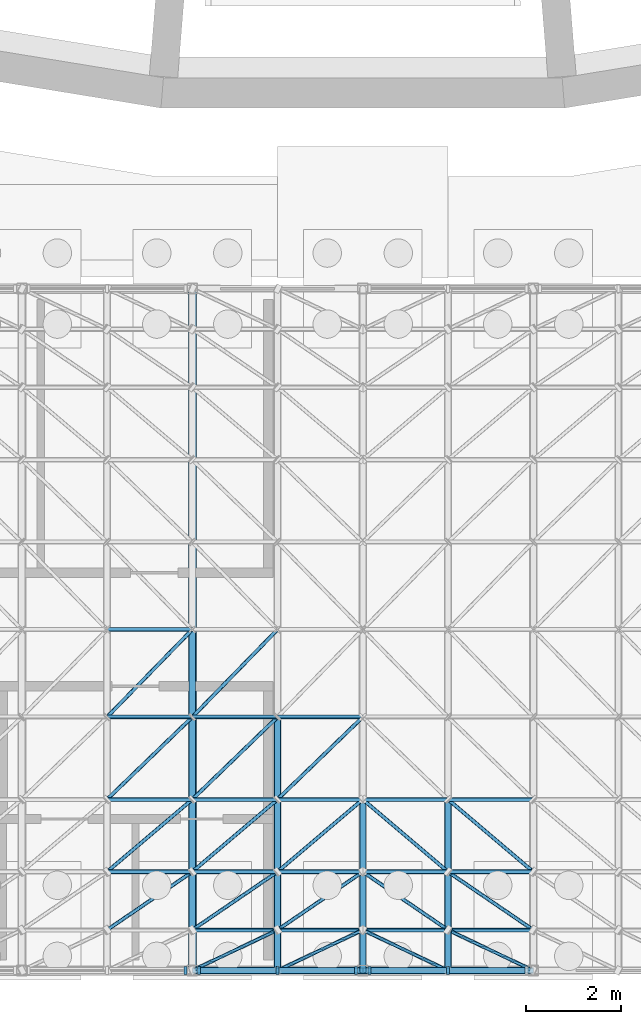
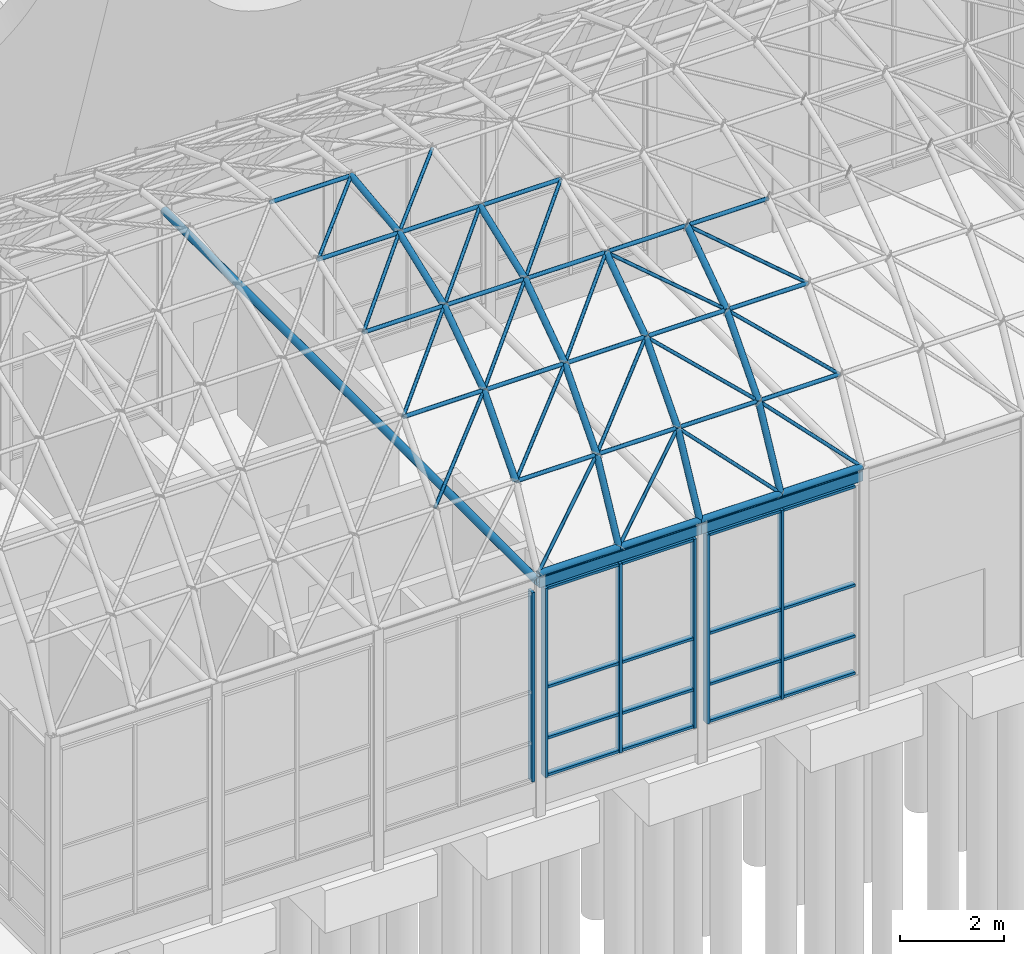
# One storey, part 32 of 116: 78 members, 2 beams, 3 elements without a shape of their own.
"""IFC4 building model written with IfcOpenShell, lengths in metres."""

from ifc_helpers import new_model, si_unit, direction, frame, origin, origin_2d, place, context, subcontext, project, spatial, rectangle, hollow_rectangle, hollow_circle, extrude, material, layer, layer_set, material_profile, profile_set, type_object, element, aggregate, save


model = new_model("IFC4")

# Units and contexts
model_context = context("Model", 3, precision=1e-05, world=origin(), true_north=direction((0.0, 1.0)))
body_context = subcontext(model_context, "Body", "Model", "MODEL_VIEW")
ifc_project = project(units=[si_unit("LENGTHUNIT", "METRE"), si_unit("AREAUNIT", "SQUARE_METRE"), si_unit("VOLUMEUNIT", "CUBIC_METRE"), si_unit("PLANEANGLEUNIT", "RADIAN"), si_unit("MASSUNIT", "GRAM", prefix="KILO")], contexts=[model_context])

# Site, building, storey
site_placement = place(None, origin())
site = spatial("IfcSite", under=ifc_project, at=site_placement, CompositionType="ELEMENT")
building_placement = place(site_placement, origin())
building = spatial("IfcBuilding", under=site, at=building_placement, Name="Ardhachandra Cancer Care Centre", CompositionType="ELEMENT")
storey_placement = place(building_placement, origin())
storey = spatial("IfcBuildingStorey", under=building, at=storey_placement, Name="L00", CompositionType="ELEMENT", Elevation=0.0)

# Beams
ifc_material_1 = material(Name="Steel E350 (IS 2062)", Category="steel")
ifc_material_profile_1 = material_profile(ifc_material_1, hollow_rectangle(XDim=0.1201171875, YDim=0.239990234375, WallThickness=0.006103515625, InnerFilletRadius=0.006103515625, OuterFilletRadius=0.011962890625, at=origin_2d()), Name="RHS 240x120x6.0")
ifc_profile_set_1 = profile_set([ifc_material_profile_1], Name="Steel E350 (IS 2062)")
beam_type = type_object("IfcBeamType", Name="Beam RHS 240x120x6.0", PredefinedType="BEAM", material=ifc_profile_set_1)
for number, where, z_axis, x_axis, name in (
    (1, (74.39990234375, 7.199951171875, 5.210205078125), (1.0, 0.0, 0.0), (0.0, 1.0, 0.0), "Pavilion edge beam S4-5"),
    (2, (78.0, 7.199951171875, 5.210205078125), (1.0, 0.0, 0.0), (0.0, 1.0, 0.0), "Pavilion edge beam S5-6"),
):
    element("IfcBeam", number, at=place(storey_placement, frame(where, z_axis=z_axis, x_axis=x_axis)), inside=storey, type_object=beam_type, Name=name, PredefinedType="BEAM", context=body_context, shape_type="SweptSolid", body=[
        extrude(hollow_rectangle(XDim=0.1201171875, YDim=0.239990234375, WallThickness=0.006103515625, InnerFilletRadius=0.006103515625, OuterFilletRadius=0.011962890625, at=origin_2d()), origin(), (0.0, 0.0, 1.0), 3.60009765625),
    ])

# Curtain wall, member
ifc_material_2 = material(Name="Aluminium extrusion", Category="aluminium")
ifc_layer = layer(ifc_material_2, 0.14990234375)
ifc_layer_set = layer_set([ifc_layer], Name="Aluminium extrusion")
curtain_wall_type = type_object("IfcCurtainWallType", Name="Curtain wall run", PredefinedType="NOTDEFINED", material=ifc_layer_set)
curtain_wall_1_placement = place(storey_placement, origin())
curtain_wall_1 = element("IfcCurtainWall", 3, at=curtain_wall_1_placement, inside=storey, type_object=curtain_wall_type, Name="Curtain wall L00 s/0070800_0007200", PredefinedType="NOTDEFINED")
ifc_material_3 = material(Name="Aluminium extrusion", Category="aluminium")
ifc_material_profile_2 = material_profile(ifc_material_3, rectangle(XDim=0.159912109375, YDim=0.06005859375, at=origin_2d()), Name="Curtain wall mullion 60 x 160")
ifc_profile_set_2 = profile_set([ifc_material_profile_2], Name="Aluminium extrusion")
member_type_1 = type_object("IfcMemberType", Name="Curtain wall mullion 60 x 160", PredefinedType="MULLION", material=ifc_profile_set_2)
member_1_placement = place(storey_placement, frame((74.2548828125, 7.199951171875, 0.60009765625), z_axis=(0.0, 0.0, 1.0), x_axis=(0.0, 1.0, 0.0)))
member_1 = element("IfcMember", 4, at=member_1_placement, type_object=member_type_1, Name="CW mullion 3", PredefinedType="MULLION", context=body_context, shape_type="SweptSolid", body=[
    extrude(rectangle(XDim=0.159912109375, YDim=0.06005859375, at=origin_2d()), origin(), (0.0, 0.0, 1.0), 4.449951171875),
])
aggregate(curtain_wall_1, [member_1])

# Curtain wall, members
curtain_wall_2_placement = place(storey_placement, origin())
curtain_wall_2 = element("IfcCurtainWall", 5, at=curtain_wall_2_placement, inside=storey, type_object=curtain_wall_type, Name="Curtain wall L00 s/0074400_0007200", PredefinedType="NOTDEFINED")
member_2_placement = place(storey_placement, frame((74.544921875, 7.199951171875, 0.60009765625), z_axis=(0.0, 0.0, 1.0), x_axis=(0.0, 1.0, 0.0)))
member_2 = element("IfcMember", 6, at=member_2_placement, type_object=member_type_1, Name="CW mullion 1", PredefinedType="MULLION", context=body_context, shape_type="SweptSolid", body=[
    extrude(rectangle(XDim=0.159912109375, YDim=0.06005859375, at=origin_2d()), origin(), (0.0, 0.0, 1.0), 4.449951171875),
])
member_3_placement = place(storey_placement, frame((76.199951171875, 7.199951171875, 0.60009765625), z_axis=(0.0, 0.0, 1.0), x_axis=(0.0, 1.0, 0.0)))
member_3 = element("IfcMember", 7, at=member_3_placement, type_object=member_type_1, Name="CW mullion 2", PredefinedType="MULLION", context=body_context, shape_type="SweptSolid", body=[
    extrude(rectangle(XDim=0.159912109375, YDim=0.06005859375, at=origin_2d()), origin(), (0.0, 0.0, 1.0), 4.449951171875),
])
member_4_placement = place(storey_placement, frame((77.85498046875, 7.199951171875, 0.60009765625), z_axis=(0.0, 0.0, 1.0), x_axis=(0.0, 1.0, 0.0)))
member_4 = element("IfcMember", 8, at=member_4_placement, type_object=member_type_1, Name="CW mullion 3", PredefinedType="MULLION", context=body_context, shape_type="SweptSolid", body=[
    extrude(rectangle(XDim=0.159912109375, YDim=0.06005859375, at=origin_2d()), origin(), (0.0, 0.0, 1.0), 4.449951171875),
])

curtain_wall_3_placement = place(storey_placement, origin())
curtain_wall_3 = element("IfcCurtainWall", 9, at=curtain_wall_3_placement, inside=storey, type_object=curtain_wall_type, Name="Curtain wall L00 s/0078000_0007200", PredefinedType="NOTDEFINED")
member_5_placement = place(storey_placement, frame((78.14501953125, 7.199951171875, 0.60009765625), z_axis=(0.0, 0.0, 1.0), x_axis=(0.0, 1.0, 0.0)))
member_5 = element("IfcMember", 10, at=member_5_placement, type_object=member_type_1, Name="CW mullion 1", PredefinedType="MULLION", context=body_context, shape_type="SweptSolid", body=[
    extrude(rectangle(XDim=0.159912109375, YDim=0.06005859375, at=origin_2d()), origin(), (0.0, 0.0, 1.0), 4.449951171875),
])
member_6_placement = place(storey_placement, frame((79.800048828125, 7.199951171875, 0.60009765625), z_axis=(0.0, 0.0, 1.0), x_axis=(0.0, 1.0, 0.0)))
member_6 = element("IfcMember", 11, at=member_6_placement, type_object=member_type_1, Name="CW mullion 2", PredefinedType="MULLION", context=body_context, shape_type="SweptSolid", body=[
    extrude(rectangle(XDim=0.159912109375, YDim=0.06005859375, at=origin_2d()), origin(), (0.0, 0.0, 1.0), 4.449951171875),
])

# Member
ifc_material_4 = material(Name="Aluminium extrusion", Category="aluminium")
ifc_material_profile_3 = material_profile(ifc_material_4, rectangle(XDim=0.1201171875, YDim=0.06005859375, at=origin_2d()), Name="Curtain wall transom 60 x 120")
ifc_profile_set_3 = profile_set([ifc_material_profile_3], Name="Aluminium extrusion")
member_type_2 = type_object("IfcMemberType", Name="Curtain wall transom 60 x 120", PredefinedType="USERDEFINED", material=ifc_profile_set_3)
member_7_placement = place(storey_placement, frame((74.574951171875, 7.199951171875, 0.6298828125), z_axis=(1.0, 0.0, 0.0), x_axis=(0.0, 1.0, 0.0)))
member_7 = element("IfcMember", 12, at=member_7_placement, type_object=member_type_2, Name="CW transom 1.1", ObjectType="TRANSOM", PredefinedType="USERDEFINED", context=body_context, shape_type="SweptSolid", body=[
    extrude(rectangle(XDim=0.1201171875, YDim=0.06005859375, at=origin_2d()), origin(), (0.0, 0.0, 1.0), 1.594970703125),
])

member_8_placement = place(storey_placement, frame((74.574951171875, 7.199951171875, 1.5), z_axis=(1.0, 0.0, 0.0), x_axis=(0.0, 1.0, 0.0)))
member_8 = element("IfcMember", 13, at=member_8_placement, type_object=member_type_2, Name="CW transom 1.2", ObjectType="TRANSOM", PredefinedType="USERDEFINED", context=body_context, shape_type="SweptSolid", body=[
    extrude(rectangle(XDim=0.1201171875, YDim=0.06005859375, at=origin_2d()), origin(), (0.0, 0.0, 1.0), 1.594970703125),
])

member_9_placement = place(storey_placement, frame((74.574951171875, 7.199951171875, 2.699951171875), z_axis=(1.0, 0.0, 0.0), x_axis=(0.0, 1.0, 0.0)))
member_9 = element("IfcMember", 14, at=member_9_placement, type_object=member_type_2, Name="CW transom 1.3", ObjectType="TRANSOM", PredefinedType="USERDEFINED", context=body_context, shape_type="SweptSolid", body=[
    extrude(rectangle(XDim=0.1201171875, YDim=0.06005859375, at=origin_2d()), origin(), (0.0, 0.0, 1.0), 1.594970703125),
])

member_10_placement = place(storey_placement, frame((74.574951171875, 7.199951171875, 5.02001953125), z_axis=(1.0, 0.0, 0.0), x_axis=(0.0, 1.0, 0.0)))
member_10 = element("IfcMember", 15, at=member_10_placement, type_object=member_type_2, Name="CW transom 1.4", ObjectType="TRANSOM", PredefinedType="USERDEFINED", context=body_context, shape_type="SweptSolid", body=[
    extrude(rectangle(XDim=0.1201171875, YDim=0.06005859375, at=origin_2d()), origin(), (0.0, 0.0, 1.0), 1.594970703125),
])

member_11_placement = place(storey_placement, frame((76.22998046875, 7.199951171875, 0.6298828125), z_axis=(1.0, 0.0, 0.0), x_axis=(0.0, 1.0, 0.0)))
member_11 = element("IfcMember", 16, at=member_11_placement, type_object=member_type_2, Name="CW transom 2.1", ObjectType="TRANSOM", PredefinedType="USERDEFINED", context=body_context, shape_type="SweptSolid", body=[
    extrude(rectangle(XDim=0.1201171875, YDim=0.06005859375, at=origin_2d()), origin(), (0.0, 0.0, 1.0), 1.594970703125),
])

member_12_placement = place(storey_placement, frame((76.22998046875, 7.199951171875, 1.5), z_axis=(1.0, 0.0, 0.0), x_axis=(0.0, 1.0, 0.0)))
member_12 = element("IfcMember", 17, at=member_12_placement, type_object=member_type_2, Name="CW transom 2.2", ObjectType="TRANSOM", PredefinedType="USERDEFINED", context=body_context, shape_type="SweptSolid", body=[
    extrude(rectangle(XDim=0.1201171875, YDim=0.06005859375, at=origin_2d()), origin(), (0.0, 0.0, 1.0), 1.594970703125),
])

member_13_placement = place(storey_placement, frame((76.22998046875, 7.199951171875, 2.699951171875), z_axis=(1.0, 0.0, 0.0), x_axis=(0.0, 1.0, 0.0)))
member_13 = element("IfcMember", 18, at=member_13_placement, type_object=member_type_2, Name="CW transom 2.3", ObjectType="TRANSOM", PredefinedType="USERDEFINED", context=body_context, shape_type="SweptSolid", body=[
    extrude(rectangle(XDim=0.1201171875, YDim=0.06005859375, at=origin_2d()), origin(), (0.0, 0.0, 1.0), 1.594970703125),
])

member_14_placement = place(storey_placement, frame((76.22998046875, 7.199951171875, 5.02001953125), z_axis=(1.0, 0.0, 0.0), x_axis=(0.0, 1.0, 0.0)))
member_14 = element("IfcMember", 19, at=member_14_placement, type_object=member_type_2, Name="CW transom 2.4", ObjectType="TRANSOM", PredefinedType="USERDEFINED", context=body_context, shape_type="SweptSolid", body=[
    extrude(rectangle(XDim=0.1201171875, YDim=0.06005859375, at=origin_2d()), origin(), (0.0, 0.0, 1.0), 1.594970703125),
])

aggregate(curtain_wall_2, [member_2, member_3, member_4, member_7, member_8, member_9, member_10, member_11, member_12, member_13, member_14])

member_15_placement = place(storey_placement, frame((78.175048828125, 7.199951171875, 0.6298828125), z_axis=(1.0, 0.0, 0.0), x_axis=(0.0, 1.0, 0.0)))
member_15 = element("IfcMember", 20, at=member_15_placement, type_object=member_type_2, Name="CW transom 1.1", ObjectType="TRANSOM", PredefinedType="USERDEFINED", context=body_context, shape_type="SweptSolid", body=[
    extrude(rectangle(XDim=0.1201171875, YDim=0.06005859375, at=origin_2d()), origin(), (0.0, 0.0, 1.0), 1.594970703125),
])

member_16_placement = place(storey_placement, frame((78.175048828125, 7.199951171875, 1.5), z_axis=(1.0, 0.0, 0.0), x_axis=(0.0, 1.0, 0.0)))
member_16 = element("IfcMember", 21, at=member_16_placement, type_object=member_type_2, Name="CW transom 1.2", ObjectType="TRANSOM", PredefinedType="USERDEFINED", context=body_context, shape_type="SweptSolid", body=[
    extrude(rectangle(XDim=0.1201171875, YDim=0.06005859375, at=origin_2d()), origin(), (0.0, 0.0, 1.0), 1.594970703125),
])

member_17_placement = place(storey_placement, frame((78.175048828125, 7.199951171875, 2.699951171875), z_axis=(1.0, 0.0, 0.0), x_axis=(0.0, 1.0, 0.0)))
member_17 = element("IfcMember", 22, at=member_17_placement, type_object=member_type_2, Name="CW transom 1.3", ObjectType="TRANSOM", PredefinedType="USERDEFINED", context=body_context, shape_type="SweptSolid", body=[
    extrude(rectangle(XDim=0.1201171875, YDim=0.06005859375, at=origin_2d()), origin(), (0.0, 0.0, 1.0), 1.594970703125),
])

member_18_placement = place(storey_placement, frame((78.175048828125, 7.199951171875, 5.02001953125), z_axis=(1.0, 0.0, 0.0), x_axis=(0.0, 1.0, 0.0)))
member_18 = element("IfcMember", 23, at=member_18_placement, type_object=member_type_2, Name="CW transom 1.4", ObjectType="TRANSOM", PredefinedType="USERDEFINED", context=body_context, shape_type="SweptSolid", body=[
    extrude(rectangle(XDim=0.1201171875, YDim=0.06005859375, at=origin_2d()), origin(), (0.0, 0.0, 1.0), 1.594970703125),
])

member_19_placement = place(storey_placement, frame((79.830078125, 7.199951171875, 0.6298828125), z_axis=(1.0, 0.0, 0.0), x_axis=(0.0, 1.0, 0.0)))
member_19 = element("IfcMember", 24, at=member_19_placement, type_object=member_type_2, Name="CW transom 2.1", ObjectType="TRANSOM", PredefinedType="USERDEFINED", context=body_context, shape_type="SweptSolid", body=[
    extrude(rectangle(XDim=0.1201171875, YDim=0.06005859375, at=origin_2d()), origin(), (0.0, 0.0, 1.0), 1.594970703125),
])

member_20_placement = place(storey_placement, frame((79.830078125, 7.199951171875, 1.5), z_axis=(1.0, 0.0, 0.0), x_axis=(0.0, 1.0, 0.0)))
member_20 = element("IfcMember", 25, at=member_20_placement, type_object=member_type_2, Name="CW transom 2.2", ObjectType="TRANSOM", PredefinedType="USERDEFINED", context=body_context, shape_type="SweptSolid", body=[
    extrude(rectangle(XDim=0.1201171875, YDim=0.06005859375, at=origin_2d()), origin(), (0.0, 0.0, 1.0), 1.594970703125),
])

member_21_placement = place(storey_placement, frame((79.830078125, 7.199951171875, 2.699951171875), z_axis=(1.0, 0.0, 0.0), x_axis=(0.0, 1.0, 0.0)))
member_21 = element("IfcMember", 26, at=member_21_placement, type_object=member_type_2, Name="CW transom 2.3", ObjectType="TRANSOM", PredefinedType="USERDEFINED", context=body_context, shape_type="SweptSolid", body=[
    extrude(rectangle(XDim=0.1201171875, YDim=0.06005859375, at=origin_2d()), origin(), (0.0, 0.0, 1.0), 1.594970703125),
])

member_22_placement = place(storey_placement, frame((79.830078125, 7.199951171875, 5.02001953125), z_axis=(1.0, 0.0, 0.0), x_axis=(0.0, 1.0, 0.0)))
member_22 = element("IfcMember", 27, at=member_22_placement, type_object=member_type_2, Name="CW transom 2.4", ObjectType="TRANSOM", PredefinedType="USERDEFINED", context=body_context, shape_type="SweptSolid", body=[
    extrude(rectangle(XDim=0.1201171875, YDim=0.06005859375, at=origin_2d()), origin(), (0.0, 0.0, 1.0), 1.594970703125),
])

aggregate(curtain_wall_3, [member_5, member_6, member_15, member_16, member_17, member_18, member_19, member_20, member_21, member_22])

# Members
ifc_material_5 = material(Name="Steel E350 (IS 2062)", Category="steel")
ifc_material_profile_4 = material_profile(ifc_material_5, hollow_circle(Radius=0.0380859375, WallThickness=0.00390625, at=origin_2d()), Name="CHS 76.1x4.0")
ifc_profile_set_4 = profile_set([ifc_material_profile_4], Name="Steel E350 (IS 2062)")
member_type_3 = type_object("IfcMemberType", Name="Pavilion shell Diagonal CHS 76.1x4.0", PredefinedType="BRACE", material=ifc_profile_set_4)
member_23_placement = place(storey_placement, frame((72.60009765625, 8.056396484375, 7.05224609375), z_axis=(0.695179469854, 0.474517511164, 0.539961698912), x_axis=(-0.56376782788, 0.825933312228, 0.0)))
element("IfcMember", 28, at=member_23_placement, inside=storey, type_object=member_type_3, Name="Pavilion shell diagonal 05-01", PredefinedType="BRACE", context=body_context, shape_type="SweptSolid", body=[
    extrude(hollow_circle(Radius=0.0380859375, WallThickness=0.00390625, at=origin_2d()), origin(), (0.0, 0.0, 1.0), 2.5888671875),
])
member_24_placement = place(storey_placement, frame((72.60009765625, 9.284912109375, 8.4501953125), z_axis=(0.695149650411, 0.590481159913, 0.409998735755), x_axis=(-0.647396299531, 0.76215354841, 0.0)))
element("IfcMember", 29, at=member_24_placement, inside=storey, type_object=member_type_3, Name="Pavilion shell diagonal 05-02", PredefinedType="BRACE", context=body_context, shape_type="SweptSolid", body=[
    extrude(hollow_circle(Radius=0.0380859375, WallThickness=0.00390625, at=origin_2d()), origin(), (0.0, 0.0, 1.0), 2.589111328125),
])
for number, where, z_axis, x_axis, name in (
    (30, (72.60009765625, 10.813720703125, 9.51171875), (0.695178684757, 0.671698015671, 0.256024162929), (-0.694857345354, 0.71914759932, 0.0), "Pavilion shell diagonal 05-03"),
    (31, (72.60009765625, 12.552734375, 10.174560546875), (0.695215992153, 0.713511149841, 0.087043456424), (-0.716229588145, 0.69786472691, 0.0), "Pavilion shell diagonal 05-04"),
):
    element("IfcMember", number, at=place(storey_placement, frame(where, z_axis=z_axis, x_axis=x_axis)), inside=storey, type_object=member_type_3, Name=name, PredefinedType="BRACE", context=body_context, shape_type="SweptSolid", body=[
        extrude(hollow_circle(Radius=0.0380859375, WallThickness=0.00390625, at=origin_2d()), origin(), (0.0, 0.0, 1.0), 2.5888671875),
    ])
for number, where, z_axis, x_axis, name in (
    (32, (74.39990234375, 7.199951171875, 5.39990234375), (0.695216484809, 0.330777082424, 0.638169696079), (-0.429638804888, 0.903000829088, 0.0), "Pavilion shell diagonal 06-00"),
    (33, (74.39990234375, 8.056396484375, 7.05224609375), (0.695228192268, 0.474486404923, 0.539926302581), (-0.563715663494, 0.825968916323, 0.0), "Pavilion shell diagonal 06-01"),
):
    element("IfcMember", number, at=place(storey_placement, frame(where, z_axis=z_axis, x_axis=x_axis)), inside=storey, type_object=member_type_3, Name=name, PredefinedType="BRACE", context=body_context, shape_type="SweptSolid", body=[
        extrude(hollow_circle(Radius=0.0380859375, WallThickness=0.00390625, at=origin_2d()), origin(), (0.0, 0.0, 1.0), 2.589111328125),
    ])
member_25_placement = place(storey_placement, frame((74.39990234375, 9.284912109375, 8.4501953125), z_axis=(0.695198374646, 0.590442455179, 0.409971861245), x_axis=(-0.647345290396, 0.762196874175, 0.0)))
element("IfcMember", 34, at=member_25_placement, inside=storey, type_object=member_type_3, Name="Pavilion shell diagonal 06-02", PredefinedType="BRACE", context=body_context, shape_type="SweptSolid", body=[
    extrude(hollow_circle(Radius=0.0380859375, WallThickness=0.00390625, at=origin_2d()), origin(), (0.0, 0.0, 1.0), 2.58935546875),
])
for number, where, z_axis, x_axis, name in (
    (35, (74.39990234375, 10.813720703125, 9.51171875), (0.69522740722, 0.671653983674, 0.25600737971), (-0.694808600346, 0.7191946947, 0.0), "Pavilion shell diagonal 06-03"),
    (36, (74.39990234375, 12.552734375, 10.174560546875), (0.695264712339, 0.713464371837, 0.087037749829), (-0.716182273472, 0.697913283413, 0.0), "Pavilion shell diagonal 06-04"),
    (37, (76.199951171875, 7.199951171875, 5.39990234375), (0.695216484809, 0.330777082424, 0.638169696079), (-0.429638804888, 0.903000829088, 0.0), "Pavilion shell diagonal 07-00"),
    (38, (76.199951171875, 8.056396484375, 7.05224609375), (0.695228192268, 0.474486404923, 0.539926302581), (-0.563715663494, 0.825968916323, 0.0), "Pavilion shell diagonal 07-01"),
):
    element("IfcMember", number, at=place(storey_placement, frame(where, z_axis=z_axis, x_axis=x_axis)), inside=storey, type_object=member_type_3, Name=name, PredefinedType="BRACE", context=body_context, shape_type="SweptSolid", body=[
        extrude(hollow_circle(Radius=0.0380859375, WallThickness=0.00390625, at=origin_2d()), origin(), (0.0, 0.0, 1.0), 2.589111328125),
    ])
member_26_placement = place(storey_placement, frame((76.199951171875, 9.284912109375, 8.4501953125), z_axis=(0.695198374646, 0.590442455179, 0.409971861245), x_axis=(-0.647345290396, 0.762196874175, 0.0)))
element("IfcMember", 39, at=member_26_placement, inside=storey, type_object=member_type_3, Name="Pavilion shell diagonal 07-02", PredefinedType="BRACE", context=body_context, shape_type="SweptSolid", body=[
    extrude(hollow_circle(Radius=0.0380859375, WallThickness=0.00390625, at=origin_2d()), origin(), (0.0, 0.0, 1.0), 2.58935546875),
])
for number, where, z_axis, x_axis, name in (
    (40, (76.199951171875, 10.813720703125, 9.51171875), (0.69522740722, 0.671653983674, 0.25600737971), (-0.694808600346, 0.7191946947, 0.0), "Pavilion shell diagonal 07-03"),
    (41, (79.800048828125, 7.199951171875, 5.39990234375), (-0.695216484809, 0.330777082424, 0.638169696079), (-0.429638804888, -0.903000829088, 0.0), "Pavilion shell diagonal 09-00"),
    (42, (79.800048828125, 8.056396484375, 7.05224609375), (-0.695228192268, 0.474486404923, 0.539926302581), (-0.563715663494, -0.825968916323, 0.0), "Pavilion shell diagonal 09-01"),
):
    element("IfcMember", number, at=place(storey_placement, frame(where, z_axis=z_axis, x_axis=x_axis)), inside=storey, type_object=member_type_3, Name=name, PredefinedType="BRACE", context=body_context, shape_type="SweptSolid", body=[
        extrude(hollow_circle(Radius=0.0380859375, WallThickness=0.00390625, at=origin_2d()), origin(), (0.0, 0.0, 1.0), 2.589111328125),
    ])
member_27_placement = place(storey_placement, frame((79.800048828125, 9.284912109375, 8.4501953125), z_axis=(-0.695198374646, 0.590442455179, 0.409971861245), x_axis=(-0.647345290396, -0.762196874175, 0.0)))
element("IfcMember", 43, at=member_27_placement, inside=storey, type_object=member_type_3, Name="Pavilion shell diagonal 09-02", PredefinedType="BRACE", context=body_context, shape_type="SweptSolid", body=[
    extrude(hollow_circle(Radius=0.0380859375, WallThickness=0.00390625, at=origin_2d()), origin(), (0.0, 0.0, 1.0), 2.58935546875),
])
for number, where, z_axis, x_axis, name in (
    (44, (81.60009765625, 7.199951171875, 5.39990234375), (-0.695216484809, 0.330777082424, 0.638169696079), (-0.429638804888, -0.903000829088, 0.0), "Pavilion shell diagonal 10-00"),
    (45, (81.60009765625, 8.056396484375, 7.05224609375), (-0.695228192268, 0.474486404923, 0.539926302581), (-0.563715663494, -0.825968916323, 0.0), "Pavilion shell diagonal 10-01"),
):
    element("IfcMember", number, at=place(storey_placement, frame(where, z_axis=z_axis, x_axis=x_axis)), inside=storey, type_object=member_type_3, Name=name, PredefinedType="BRACE", context=body_context, shape_type="SweptSolid", body=[
        extrude(hollow_circle(Radius=0.0380859375, WallThickness=0.00390625, at=origin_2d()), origin(), (0.0, 0.0, 1.0), 2.589111328125),
    ])
member_28_placement = place(storey_placement, frame((81.60009765625, 9.284912109375, 8.4501953125), z_axis=(-0.695198374646, 0.590442455179, 0.409971861245), x_axis=(-0.647345290396, -0.762196874175, 0.0)))
element("IfcMember", 46, at=member_28_placement, inside=storey, type_object=member_type_3, Name="Pavilion shell diagonal 10-02", PredefinedType="BRACE", context=body_context, shape_type="SweptSolid", body=[
    extrude(hollow_circle(Radius=0.0380859375, WallThickness=0.00390625, at=origin_2d()), origin(), (0.0, 0.0, 1.0), 2.58935546875),
])
ifc_material_6 = material(Name="Steel E350 (IS 2062)", Category="steel")
ifc_material_profile_5 = material_profile(ifc_material_6, hollow_circle(Radius=0.06982421875, WallThickness=0.0048828125, at=origin_2d()), Name="CHS 139.7x5.0")
ifc_profile_set_5 = profile_set([ifc_material_profile_5], Name="Steel E350 (IS 2062)")
member_type_4 = type_object("IfcMemberType", Name="Pavilion shell Purlin CHS 139.7x5.0", PredefinedType="PURLIN", material=ifc_profile_set_5)
for number, where, z_axis, x_axis, name in (
    (47, (74.39990234375, 7.199951171875, 5.39990234375), (1.0, 0.0, 0.0), (0.0, 1.0, 0.0), "Pavilion shell purlin 06-00"),
    (48, (76.199951171875, 7.199951171875, 5.39990234375), (1.0, 0.0, 0.0), (0.0, 1.0, 0.0), "Pavilion shell purlin 07-00"),
    (49, (78.0, 7.199951171875, 5.39990234375), (1.0, 0.0, 0.0), (0.0, 1.0, 0.0), "Pavilion shell purlin 08-00"),
    (50, (79.800048828125, 7.199951171875, 5.39990234375), (1.0, 0.0, 0.0), (0.0, 1.0, 0.0), "Pavilion shell purlin 09-00"),
):
    element("IfcMember", number, at=place(storey_placement, frame(where, z_axis=z_axis, x_axis=x_axis)), inside=storey, type_object=member_type_4, Name=name, PredefinedType="PURLIN", context=body_context, shape_type="SweptSolid", body=[
        extrude(hollow_circle(Radius=0.06982421875, WallThickness=0.0048828125, at=origin_2d()), origin(), (0.0, 0.0, 1.0), 1.800048828125),
    ])
ifc_material_7 = material(Name="Steel E350 (IS 2062)", Category="steel")
ifc_material_profile_6 = material_profile(ifc_material_7, hollow_circle(Radius=0.04443359375, WallThickness=0.00390625, at=origin_2d()), Name="CHS 88.9x4.0")
ifc_profile_set_6 = profile_set([ifc_material_profile_6], Name="Steel E350 (IS 2062)")
member_type_5 = type_object("IfcMemberType", Name="Pavilion shell Purlin CHS 88.9x4.0", PredefinedType="PURLIN", material=ifc_profile_set_6)
for number, where, z_axis, x_axis, name in (
    (51, (74.39990234375, 8.056396484375, 7.05224609375), (1.0, 0.0, 0.0), (0.0, 1.0, 0.0), "Pavilion shell purlin 06-01"),
    (52, (76.199951171875, 8.056396484375, 7.05224609375), (1.0, 0.0, 0.0), (0.0, 1.0, 0.0), "Pavilion shell purlin 07-01"),
    (53, (78.0, 8.056396484375, 7.05224609375), (1.0, 0.0, 0.0), (0.0, 1.0, 0.0), "Pavilion shell purlin 08-01"),
    (54, (79.800048828125, 8.056396484375, 7.05224609375), (1.0, 0.0, 0.0), (0.0, 1.0, 0.0), "Pavilion shell purlin 09-01"),
):
    element("IfcMember", number, at=place(storey_placement, frame(where, z_axis=z_axis, x_axis=x_axis)), inside=storey, type_object=member_type_5, Name=name, PredefinedType="PURLIN", context=body_context, shape_type="SweptSolid", body=[
        extrude(hollow_circle(Radius=0.04443359375, WallThickness=0.00390625, at=origin_2d()), origin(), (0.0, 0.0, 1.0), 1.800048828125),
    ])
member_29_placement = place(storey_placement, frame((72.60009765625, 9.284912109375, 8.4501953125), z_axis=(1.0, 0.0, 0.0), x_axis=(0.0, 1.0, 0.0)))
element("IfcMember", 55, at=member_29_placement, inside=storey, type_object=member_type_5, Name="Pavilion shell purlin 05-02", PredefinedType="PURLIN", context=body_context, shape_type="SweptSolid", body=[
    extrude(hollow_circle(Radius=0.04443359375, WallThickness=0.00390625, at=origin_2d()), origin(), (0.0, 0.0, 1.0), 1.7998046875),
])
for number, where, z_axis, x_axis, name in (
    (56, (74.39990234375, 9.284912109375, 8.4501953125), (1.0, 0.0, 0.0), (0.0, 1.0, 0.0), "Pavilion shell purlin 06-02"),
    (57, (76.199951171875, 9.284912109375, 8.4501953125), (1.0, 0.0, 0.0), (0.0, 1.0, 0.0), "Pavilion shell purlin 07-02"),
    (58, (78.0, 9.284912109375, 8.4501953125), (1.0, 0.0, 0.0), (0.0, 1.0, 0.0), "Pavilion shell purlin 08-02"),
    (59, (79.800048828125, 9.284912109375, 8.4501953125), (1.0, 0.0, 0.0), (0.0, 1.0, 0.0), "Pavilion shell purlin 09-02"),
):
    element("IfcMember", number, at=place(storey_placement, frame(where, z_axis=z_axis, x_axis=x_axis)), inside=storey, type_object=member_type_5, Name=name, PredefinedType="PURLIN", context=body_context, shape_type="SweptSolid", body=[
        extrude(hollow_circle(Radius=0.04443359375, WallThickness=0.00390625, at=origin_2d()), origin(), (0.0, 0.0, 1.0), 1.800048828125),
    ])
member_30_placement = place(storey_placement, frame((72.60009765625, 10.813720703125, 9.51171875), z_axis=(1.0, 0.0, 0.0), x_axis=(0.0, 1.0, 0.0)))
element("IfcMember", 60, at=member_30_placement, inside=storey, type_object=member_type_5, Name="Pavilion shell purlin 05-03", PredefinedType="PURLIN", context=body_context, shape_type="SweptSolid", body=[
    extrude(hollow_circle(Radius=0.04443359375, WallThickness=0.00390625, at=origin_2d()), origin(), (0.0, 0.0, 1.0), 1.7998046875),
])
for number, where, z_axis, x_axis, name in (
    (61, (74.39990234375, 10.813720703125, 9.51171875), (1.0, 0.0, 0.0), (0.0, 1.0, 0.0), "Pavilion shell purlin 06-03"),
    (62, (76.199951171875, 10.813720703125, 9.51171875), (1.0, 0.0, 0.0), (0.0, 1.0, 0.0), "Pavilion shell purlin 07-03"),
    (63, (78.0, 10.813720703125, 9.51171875), (1.0, 0.0, 0.0), (0.0, 1.0, 0.0), "Pavilion shell purlin 08-03"),
    (64, (79.800048828125, 10.813720703125, 9.51171875), (1.0, 0.0, 0.0), (0.0, 1.0, 0.0), "Pavilion shell purlin 09-03"),
):
    element("IfcMember", number, at=place(storey_placement, frame(where, z_axis=z_axis, x_axis=x_axis)), inside=storey, type_object=member_type_5, Name=name, PredefinedType="PURLIN", context=body_context, shape_type="SweptSolid", body=[
        extrude(hollow_circle(Radius=0.04443359375, WallThickness=0.00390625, at=origin_2d()), origin(), (0.0, 0.0, 1.0), 1.800048828125),
    ])
member_31_placement = place(storey_placement, frame((72.60009765625, 12.552734375, 10.174560546875), z_axis=(1.0, 0.0, 0.0), x_axis=(0.0, 1.0, 0.0)))
element("IfcMember", 65, at=member_31_placement, inside=storey, type_object=member_type_5, Name="Pavilion shell purlin 05-04", PredefinedType="PURLIN", context=body_context, shape_type="SweptSolid", body=[
    extrude(hollow_circle(Radius=0.04443359375, WallThickness=0.00390625, at=origin_2d()), origin(), (0.0, 0.0, 1.0), 1.7998046875),
])
for number, where, z_axis, x_axis, name in (
    (66, (74.39990234375, 12.552734375, 10.174560546875), (1.0, 0.0, 0.0), (0.0, 1.0, 0.0), "Pavilion shell purlin 06-04"),
    (67, (76.199951171875, 12.552734375, 10.174560546875), (1.0, 0.0, 0.0), (0.0, 1.0, 0.0), "Pavilion shell purlin 07-04"),
):
    element("IfcMember", number, at=place(storey_placement, frame(where, z_axis=z_axis, x_axis=x_axis)), inside=storey, type_object=member_type_5, Name=name, PredefinedType="PURLIN", context=body_context, shape_type="SweptSolid", body=[
        extrude(hollow_circle(Radius=0.04443359375, WallThickness=0.00390625, at=origin_2d()), origin(), (0.0, 0.0, 1.0), 1.800048828125),
    ])
member_32_placement = place(storey_placement, frame((72.60009765625, 14.39990234375, 10.39990234375), z_axis=(1.0, 0.0, 0.0), x_axis=(0.0, 1.0, 0.0)))
element("IfcMember", 68, at=member_32_placement, inside=storey, type_object=member_type_5, Name="Pavilion shell purlin 05-05", PredefinedType="PURLIN", context=body_context, shape_type="SweptSolid", body=[
    extrude(hollow_circle(Radius=0.04443359375, WallThickness=0.00390625, at=origin_2d()), origin(), (0.0, 0.0, 1.0), 1.7998046875),
])
ifc_material_8 = material(Name="Steel E350 (IS 2062)", Category="steel")
ifc_material_profile_7 = material_profile(ifc_material_8, hollow_circle(Radius=0.06982421875, WallThickness=0.0048828125, at=origin_2d()), Name="CHS 139.7x5.0")
ifc_profile_set_7 = profile_set([ifc_material_profile_7], Name="Steel E350 (IS 2062)")
member_type_6 = type_object("IfcMemberType", Name="Pavilion shell Rib CHS 139.7x5.0", PredefinedType="RAFTER", material=ifc_profile_set_7)
for number, where, z_axis, x_axis, name in (
    (69, (74.39990234375, 8.056396484375, 7.05224609375), (0.0, 0.66011909381, 0.751160956112), (-1.0, 0.0, 0.0), "Pavilion shell rib 06-01"),
    (70, (74.39990234375, 9.284912109375, 8.4501953125), (0.0, 0.821407520032, 0.570341727419), (-1.0, 0.0, 0.0), "Pavilion shell rib 06-02"),
    (71, (74.39990234375, 10.813720703125, 9.51171875), (0.0, 0.934423296617, 0.356164432165), (-1.0, 0.0, 0.0), "Pavilion shell rib 06-03"),
):
    element("IfcMember", number, at=place(storey_placement, frame(where, z_axis=z_axis, x_axis=x_axis)), inside=storey, type_object=member_type_6, Name=name, PredefinedType="RAFTER", context=body_context, shape_type="SweptSolid", body=[
        extrude(hollow_circle(Radius=0.06982421875, WallThickness=0.0048828125, at=origin_2d()), origin(), (0.0, 0.0, 1.0), 1.861083984375),
    ])
member_33_placement = place(storey_placement, frame((74.39990234375, 12.552734375, 10.174560546875), z_axis=(0.0, 0.992640877969, 0.121095364838), x_axis=(-1.0, 0.0, 0.0)))
element("IfcMember", 72, at=member_33_placement, inside=storey, type_object=member_type_6, Name="Pavilion shell rib 06-04", PredefinedType="RAFTER", context=body_context, shape_type="SweptSolid", body=[
    extrude(hollow_circle(Radius=0.06982421875, WallThickness=0.0048828125, at=origin_2d()), origin(), (0.0, 0.0, 1.0), 1.86083984375),
])
for number, where, z_axis, x_axis, name in (
    (73, (76.199951171875, 7.199951171875, 5.39990234375), (0.0, 0.460179313582, 0.8878259961), (-1.0, 0.0, 0.0), "Pavilion shell rib 07-00"),
    (74, (76.199951171875, 8.056396484375, 7.05224609375), (0.0, 0.66011909381, 0.751160956112), (-1.0, 0.0, 0.0), "Pavilion shell rib 07-01"),
    (75, (76.199951171875, 9.284912109375, 8.4501953125), (0.0, 0.821407520032, 0.570341727419), (-1.0, 0.0, 0.0), "Pavilion shell rib 07-02"),
    (76, (76.199951171875, 10.813720703125, 9.51171875), (0.0, 0.934423296617, 0.356164432165), (-1.0, 0.0, 0.0), "Pavilion shell rib 07-03"),
    (77, (78.0, 7.199951171875, 5.39990234375), (0.0, 0.460179313582, 0.8878259961), (-1.0, 0.0, 0.0), "Pavilion shell rib 08-00"),
    (78, (78.0, 8.056396484375, 7.05224609375), (0.0, 0.66011909381, 0.751160956112), (-1.0, 0.0, 0.0), "Pavilion shell rib 08-01"),
    (79, (78.0, 9.284912109375, 8.4501953125), (0.0, 0.821407520032, 0.570341727419), (-1.0, 0.0, 0.0), "Pavilion shell rib 08-02"),
    (80, (79.800048828125, 7.199951171875, 5.39990234375), (0.0, 0.460179313582, 0.8878259961), (-1.0, 0.0, 0.0), "Pavilion shell rib 09-00"),
    (81, (79.800048828125, 8.056396484375, 7.05224609375), (0.0, 0.66011909381, 0.751160956112), (-1.0, 0.0, 0.0), "Pavilion shell rib 09-01"),
    (82, (79.800048828125, 9.284912109375, 8.4501953125), (0.0, 0.821407520032, 0.570341727419), (-1.0, 0.0, 0.0), "Pavilion shell rib 09-02"),
):
    element("IfcMember", number, at=place(storey_placement, frame(where, z_axis=z_axis, x_axis=x_axis)), inside=storey, type_object=member_type_6, Name=name, PredefinedType="RAFTER", context=body_context, shape_type="SweptSolid", body=[
        extrude(hollow_circle(Radius=0.06982421875, WallThickness=0.0048828125, at=origin_2d()), origin(), (0.0, 0.0, 1.0), 1.861083984375),
    ])
ifc_material_9 = material(Name="Steel E350 (IS 2062)", Category="steel")
ifc_material_profile_8 = material_profile(ifc_material_9, hollow_circle(Radius=0.084228515625, WallThickness=0.00634765625, at=origin_2d()), Name="CHS 168.3x6.3")
ifc_profile_set_8 = profile_set([ifc_material_profile_8], Name="Steel E350 (IS 2062)")
member_type_7 = type_object("IfcMemberType", Name="Pavilion tie CHS 168.3x6.3", PredefinedType="MEMBER", material=ifc_profile_set_8)
member_34_placement = place(storey_placement, frame((74.39990234375, 7.199951171875, 5.210205078125), z_axis=(0.0, 1.0, 0.0), x_axis=(-1.0, 0.0, 0.0)))
element("IfcMember", 83, at=member_34_placement, inside=storey, type_object=member_type_7, Name="Pavilion tie 04", PredefinedType="MEMBER", context=body_context, shape_type="SweptSolid", body=[
    extrude(hollow_circle(Radius=0.084228515625, WallThickness=0.00634765625, at=origin_2d()), origin(), (0.0, 0.0, 1.0), 14.400146484375),
])

save(model, "model.ifc")
